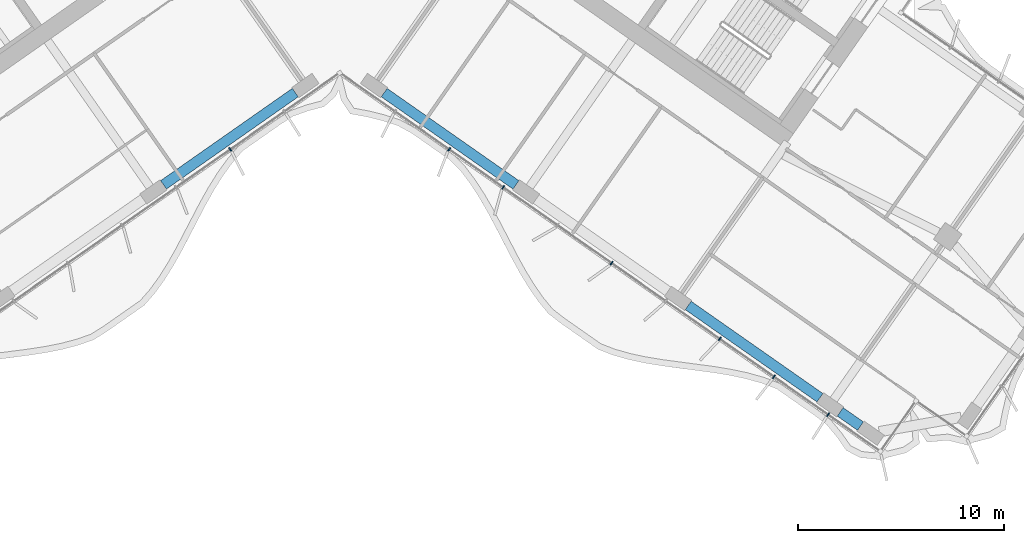
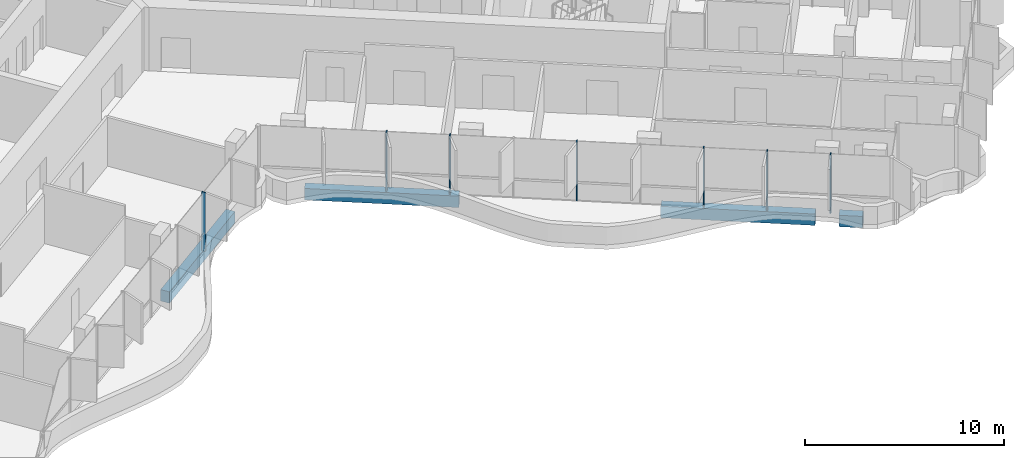
# One storey, part 5 of 24: 7 members, 4 beams, 1 element without a shape of its own.
"""IFC4 building model written with IfcOpenShell, lengths in metres."""

from ifc_helpers import new_model, si_unit, direction, frame, origin, origin_2d, place, context, subcontext, project, spatial, rectangle, extrude, material, material_profile, profile_set, type_object, element, aggregate, save


model = new_model("IFC4")

# Units and contexts
model_context = context("Model", 3, precision=1e-05, world=origin(), true_north=direction((0.0, 1.0)))
body_context = subcontext(model_context, "Body", "Model", "MODEL_VIEW")
ifc_project = project(units=[si_unit("LENGTHUNIT", "METRE"), si_unit("AREAUNIT", "SQUARE_METRE"), si_unit("VOLUMEUNIT", "CUBIC_METRE"), si_unit("PLANEANGLEUNIT", "RADIAN"), si_unit("MASSUNIT", "GRAM", prefix="KILO")], contexts=[model_context])

# Site, building, storey
site_placement = place(None, origin())
site = spatial("IfcSite", under=ifc_project, at=site_placement, CompositionType="ELEMENT")
building_placement = place(site_placement, origin())
building = spatial("IfcBuilding", under=site, at=building_placement, Name="Tel Ilan Convention Tower", CompositionType="ELEMENT")
storey_placement = place(building_placement, frame((0.0, 0.0, 167.10009765625)))
storey = spatial("IfcBuildingStorey", under=building, at=storey_placement, Name="L38", CompositionType="ELEMENT", Elevation=167.10009765625)

# Beams
ifc_material_1 = material(Name="Concrete C40/50", Category="concrete")
ifc_material_profile_1 = material_profile(ifc_material_1, rectangle(XDim=0.5, YDim=0.699951171875, at=origin_2d()), Name="RC 500x700")
ifc_profile_set_1 = profile_set([ifc_material_profile_1], Name="Concrete C40/50")
beam_type = type_object("IfcBeamType", Name="Beam RC 500x700 Concrete C40/50", PredefinedType="BEAM", material=ifc_profile_set_1)
for number, where, z_axis, x_axis, name in (
    (1, (-2.15673828125, -13.656982421875, -0.630126953125), (-0.819153977895, -0.573573674866, 0.0), (0.573573674866, -0.819153977895, 0.0), "L38 beam W-W-F1-W-F2"),
    (2, (2.15673828125, -13.656982421875, -0.630126953125), (0.819153977895, -0.573573674866, 0.0), (0.573573674866, 0.819153977895, 0.0), "L38 beam E-E-F1-E-F2"),
    (3, (16.901611328125, -23.981201171875, -0.630126953125), (0.819153977895, -0.573573674866, 0.0), (0.573573674866, 0.819153977895, 0.0), "L38 beam E-E-F3-E-F4"),
):
    element("IfcBeam", number, at=place(storey_placement, frame(where, z_axis=z_axis, x_axis=x_axis)), inside=storey, type_object=beam_type, Name=name, PredefinedType="BEAM", context=body_context, shape_type="SweptSolid", body=[
        extrude(rectangle(XDim=0.5, YDim=0.699951171875, at=origin_2d()), origin(), (0.0, 0.0, 1.0), 7.800048828125),
    ])
beam_placement = place(storey_placement, frame((24.27392578125, -29.1435546875, -0.630126953125), z_axis=(0.819155442668, -0.573571582932, 0.0), x_axis=(0.573571582932, 0.819155442668, 0.0)))
element("IfcBeam", 4, at=beam_placement, inside=storey, type_object=beam_type, Name="L38 beam E-E-F4-E-FC", PredefinedType="BEAM", context=body_context, shape_type="SweptSolid", body=[
    extrude(rectangle(XDim=0.5, YDim=0.699951171875, at=origin_2d()), origin(), (0.0, 0.0, 1.0), 1.199951171875),
])

# Curtain wall, members
ifc_material_2 = material(Name="Aluminium, bronze anodised", Category="aluminium")
curtain_wall_type = type_object("IfcCurtainWallType", Name="CW4 STICK CURTAIN WALL, OFFICE TINTED GLASS", PredefinedType="NOTDEFINED", material=ifc_material_2)
curtain_wall_placement = place(storey_placement, origin())
curtain_wall = element("IfcCurtainWall", 5, at=curtain_wall_placement, inside=storey, type_object=curtain_wall_type, Name="Curtain wall CW4-30.04", PredefinedType="NOTDEFINED")
ifc_material_3 = material(Name="Aluminium, bronze anodised", Category="aluminium")
ifc_material_profile_2 = material_profile(ifc_material_3, rectangle(XDim=0.06005859375, YDim=0.199951171875, at=origin_2d()), Name="CW MULLION 60x200")
ifc_profile_set_2 = profile_set([ifc_material_profile_2], Name="Aluminium, bronze anodised")
member_type = type_object("IfcMemberType", Name="CW MULLION 60x200", PredefinedType="MULLION", material=ifc_profile_set_2)
member_1_placement = place(storey_placement, frame((-5.307861328125, -16.41259765625, 0.0), z_axis=(0.0, 0.0, 1.0), x_axis=(0.819152044289, 0.573576436351, 0.0)))
member_1 = element("IfcMember", 6, at=member_1_placement, type_object=member_type, Name="Mullion", PredefinedType="MULLION", context=body_context, shape_type="SweptSolid", body=[
    extrude(rectangle(XDim=0.06005859375, YDim=0.199951171875, at=origin_2d()), origin(), (0.0, 0.0, 1.0), 3.619873046875),
])
member_2_placement = place(storey_placement, frame((5.307861328125, -16.41259765625, 0.0), z_axis=(0.0, 0.0, 1.0), x_axis=(0.819152044289, -0.573576436351, 0.0)))
member_2 = element("IfcMember", 7, at=member_2_placement, type_object=member_type, Name="Mullion", PredefinedType="MULLION", context=body_context, shape_type="SweptSolid", body=[
    extrude(rectangle(XDim=0.06005859375, YDim=0.199951171875, at=origin_2d()), origin(), (0.0, 0.0, 1.0), 3.619873046875),
])
member_3_placement = place(storey_placement, frame((7.932861328125, -18.250732421875, 0.0), z_axis=(0.0, 0.0, 1.0), x_axis=(0.819152044289, -0.573576436351, 0.0)))
member_3 = element("IfcMember", 8, at=member_3_placement, type_object=member_type, Name="Mullion", PredefinedType="MULLION", context=body_context, shape_type="SweptSolid", body=[
    extrude(rectangle(XDim=0.06005859375, YDim=0.199951171875, at=origin_2d()), origin(), (0.0, 0.0, 1.0), 3.619873046875),
])
member_4_placement = place(storey_placement, frame((13.183349609375, -21.92724609375, 0.0), z_axis=(0.0, 0.0, 1.0), x_axis=(0.819152044289, -0.573576436351, 0.0)))
member_4 = element("IfcMember", 9, at=member_4_placement, type_object=member_type, Name="Mullion", PredefinedType="MULLION", context=body_context, shape_type="SweptSolid", body=[
    extrude(rectangle(XDim=0.06005859375, YDim=0.199951171875, at=origin_2d()), origin(), (0.0, 0.0, 1.0), 3.619873046875),
])
member_5_placement = place(storey_placement, frame((18.433837890625, -25.603515625, 0.0), z_axis=(0.0, 0.0, 1.0), x_axis=(0.819152044289, -0.573576436351, 0.0)))
member_5 = element("IfcMember", 10, at=member_5_placement, type_object=member_type, Name="Mullion", PredefinedType="MULLION", context=body_context, shape_type="SweptSolid", body=[
    extrude(rectangle(XDim=0.06005859375, YDim=0.199951171875, at=origin_2d()), origin(), (0.0, 0.0, 1.0), 3.619873046875),
])
member_6_placement = place(storey_placement, frame((21.05908203125, -27.441650390625, 0.0), z_axis=(0.0, 0.0, 1.0), x_axis=(0.819152044289, -0.573576436351, 0.0)))
member_6 = element("IfcMember", 11, at=member_6_placement, type_object=member_type, Name="Mullion", PredefinedType="MULLION", context=body_context, shape_type="SweptSolid", body=[
    extrude(rectangle(XDim=0.06005859375, YDim=0.199951171875, at=origin_2d()), origin(), (0.0, 0.0, 1.0), 3.619873046875),
])
member_7_placement = place(storey_placement, frame((23.68408203125, -29.27978515625, 0.0), z_axis=(0.0, 0.0, 1.0), x_axis=(0.819152044289, -0.573576436351, 0.0)))
member_7 = element("IfcMember", 12, at=member_7_placement, type_object=member_type, Name="Mullion", PredefinedType="MULLION", context=body_context, shape_type="SweptSolid", body=[
    extrude(rectangle(XDim=0.06005859375, YDim=0.199951171875, at=origin_2d()), origin(), (0.0, 0.0, 1.0), 3.619873046875),
])
aggregate(curtain_wall, [member_1, member_2, member_3, member_4, member_5, member_6, member_7])

save(model, "model.ifc")
